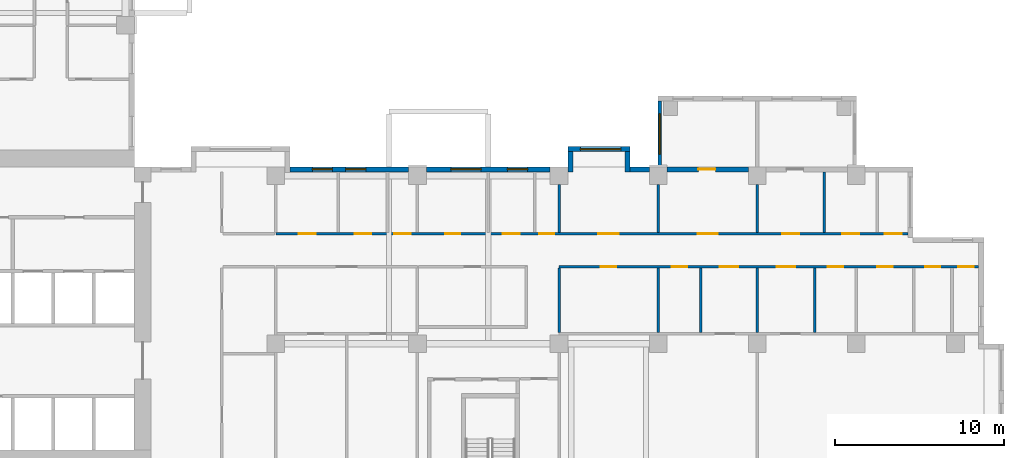
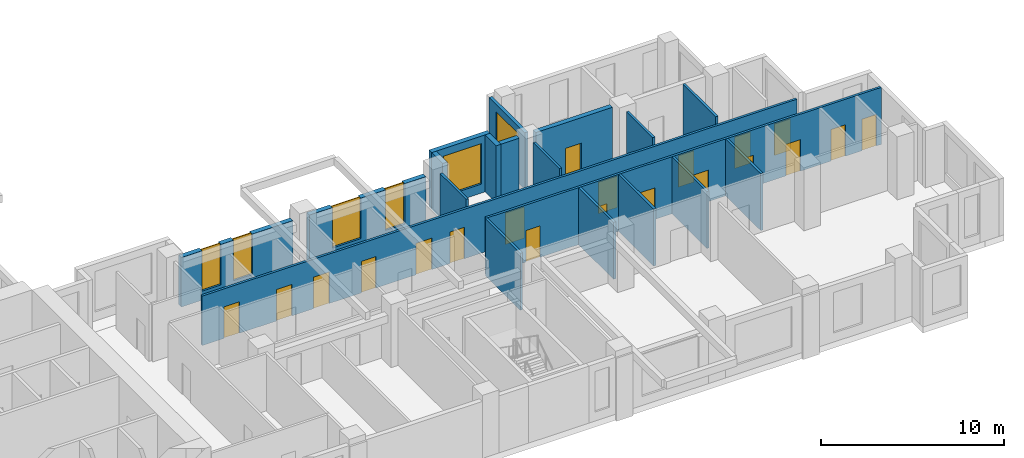
# One storey, part 5 of 14: 20 doors, 19 walls, 6 windows, 26 openings.
"""IFC4 building model written with IfcOpenShell, lengths in metres."""

from ifc_helpers import new_model, si_unit, direction, frame, frame_2d, origin, place, context, subcontext, project, spatial, rectangle, extrude, source, transform, mapped, material, layer, layer_set, type_object, element, fill, save


model = new_model("IFC4")

# Units and contexts
model_context = context("Model", 3, precision=1e-05, world=origin(), true_north=direction((0.0, 1.0)))
body_context = subcontext(model_context, "Body", "Model", "MODEL_VIEW")
ifc_project = project(units=[si_unit("LENGTHUNIT", "METRE"), si_unit("AREAUNIT", "SQUARE_METRE"), si_unit("VOLUMEUNIT", "CUBIC_METRE"), si_unit("PLANEANGLEUNIT", "RADIAN"), si_unit("MASSUNIT", "GRAM", prefix="KILO")], contexts=[model_context])

# Site, building, storey
site_placement = place(None, origin())
site = spatial("IfcSite", under=ifc_project, at=site_placement, CompositionType="ELEMENT")
building_placement = place(site_placement, origin())
building = spatial("IfcBuilding", under=site, at=building_placement, Name="Aurelian Terraces", CompositionType="ELEMENT")
storey_placement = place(building_placement, frame((0.0, 0.0, 116.1)))
storey = spatial("IfcBuildingStorey", under=building, at=storey_placement, Name="L25", CompositionType="ELEMENT", Elevation=116.1)

# Wall
ifc_material_1 = material(Name="Terracotta rainscreen cladding", Category="masonry")
ifc_layer_1 = layer(ifc_material_1, 0.3)
ifc_layer_set_1 = layer_set([ifc_layer_1], Name="EW-300")
wall_type_1 = type_object("IfcWallType", Name="EW-300", PredefinedType="STANDARD", material=ifc_layer_set_1)
wall_1_placement = place(storey_placement, frame((51.555, 20.85, 0.0), z_axis=(0.0, 0.0, 1.0), x_axis=(-1.0, 0.0, 0.0)))
element("IfcWall", 1, at=wall_1_placement, inside=storey, type_object=wall_type_1, Name="External wall L25 F07.18", PredefinedType="STANDARD", context=body_context, shape_type="SweptSolid", body=[
    extrude(rectangle(XDim=1.155, YDim=0.3, at=frame_2d((0.5775, 0.0))), origin(), (0.0, 0.0, 1.0), 3.8),
])

# Wall, opening, window
wall_2_placement = place(storey_placement, frame((50.4, 22.05, 0.0), z_axis=(0.0, 0.0, 1.0), x_axis=(-1.0, 0.0, 0.0)))
wall_2 = element("IfcWall", 2, at=wall_2_placement, inside=storey, type_object=wall_type_1, Name="Bay wall L25 F07.19", PredefinedType="STANDARD", context=body_context, shape_type="SweptSolid", body=[
    extrude(rectangle(XDim=3.675, YDim=0.3, at=frame_2d((1.8375, 0.0))), origin(), (0.0, 0.0, 1.0), 3.8),
])
shared_shape_1 = source(origin(), body_context, "Body", "SweptSolid", [
    extrude(rectangle(XDim=2.4, YDim=2.7, at=frame_2d((1.2, 1.35))), frame((0.0, 0.16, 0.0), z_axis=(0.0, -1.0, 0.0), x_axis=(1.0, 0.0, 0.0)), (0.0, 0.0, 1.0), 0.32),
])
opening_1_placement = place(wall_2_placement, frame((0.5375, 0.0, 0.6)))
opening_1 = element("IfcOpeningElement", 3, at=opening_1_placement, cuts=wall_2, Name="Opening W2427", PredefinedType="OPENING", context=body_context, shape_type="MappedRepresentation", body=[
    mapped(shared_shape_1, transform((0.0, 0.0, 0.0), scale=1.0)),
])
ifc_material_2 = material(Name="Clear glazing", Category="glass")
window_type_1 = type_object("IfcWindowType", Name="W-2400x2700", PartitioningType="SINGLE_PANEL", PredefinedType="WINDOW", material=ifc_material_2)
shared_shape_2 = source(origin(), body_context, "Body", "SweptSolid", [
    extrude(rectangle(XDim=2.4, YDim=2.7, at=frame_2d((1.2, 1.35))), frame((0.0, 0.03, 0.0), z_axis=(0.0, -1.0, 0.0), x_axis=(1.0, 0.0, 0.0)), (0.0, 0.0, 1.0), 0.06),
])
window_1_placement = place(opening_1_placement, origin())
window_1 = element("IfcWindow", 4, at=window_1_placement, inside=storey, type_object=window_type_1, Name="Window L25 L25-F07-19-0", OverallHeight=2.7, OverallWidth=2.4, PartitioningType="SINGLE_PANEL", PredefinedType="WINDOW", context=body_context, shape_type="MappedRepresentation", body=[
    mapped(shared_shape_2, transform((0.0, 0.0, 0.0), scale=1.0)),
])
fill(opening_1, window_1)

# Wall, openings, windows
wall_3_placement = place(storey_placement, frame((37.275, 20.85, 0.0), z_axis=(0.0, 0.0, 1.0), x_axis=(-1.0, 0.0, 0.0)))
wall_3 = element("IfcWall", 5, at=wall_3_placement, inside=storey, type_object=wall_type_1, Name="External wall L25 F07.20", PredefinedType="STANDARD", context=body_context, shape_type="SweptSolid", body=[
    extrude(rectangle(XDim=7.035, YDim=0.3, at=frame_2d((3.5175, 0.0))), origin(), (0.0, 0.0, 1.0), 3.3),
])
shared_shape_3 = source(origin(), body_context, "Body", "SweptSolid", [
    extrude(rectangle(XDim=1.2, YDim=2.7, at=frame_2d((0.6, 1.35))), frame((0.0, 0.16, 0.0), z_axis=(0.0, -1.0, 0.0), x_axis=(1.0, 0.0, 0.0)), (0.0, 0.0, 1.0), 0.32),
])
opening_2_placement = place(wall_3_placement, frame((2.541, 0.0, 0.6)))
opening_2 = element("IfcOpeningElement", 6, at=opening_2_placement, cuts=wall_3, Name="Opening W1227", PredefinedType="OPENING", context=body_context, shape_type="MappedRepresentation", body=[
    mapped(shared_shape_3, transform((0.0, 0.0, 0.0), scale=1.0)),
])
opening_3_placement = place(wall_3_placement, frame((4.516, 0.0, 0.6)))
opening_3 = element("IfcOpeningElement", 7, at=opening_3_placement, cuts=wall_3, Name="Opening W1227", PredefinedType="OPENING", context=body_context, shape_type="MappedRepresentation", body=[
    mapped(shared_shape_3, transform((0.0, 0.0, 0.0), scale=1.0)),
])
window_type_2 = type_object("IfcWindowType", Name="W-1200x2700", PartitioningType="SINGLE_PANEL", PredefinedType="WINDOW", material=ifc_material_2)
shared_shape_4 = source(origin(), body_context, "Body", "SweptSolid", [
    extrude(rectangle(XDim=1.2, YDim=2.7, at=frame_2d((0.6, 1.35))), frame((0.0, 0.03, 0.0), z_axis=(0.0, -1.0, 0.0), x_axis=(1.0, 0.0, 0.0)), (0.0, 0.0, 1.0), 0.06),
])
window_2_placement = place(opening_2_placement, origin())
window_2 = element("IfcWindow", 8, at=window_2_placement, inside=storey, type_object=window_type_2, Name="Window L25 L25-F07-20-2.1", OverallHeight=2.7, OverallWidth=1.2, PartitioningType="SINGLE_PANEL", PredefinedType="WINDOW", context=body_context, shape_type="MappedRepresentation", body=[
    mapped(shared_shape_4, transform((0.0, 0.0, 0.0), scale=1.0)),
])
fill(opening_2, window_2)
window_3_placement = place(opening_3_placement, origin())
window_3 = element("IfcWindow", 9, at=window_3_placement, inside=storey, type_object=window_type_2, Name="Window L25 L25-F07-20-2.2", OverallHeight=2.7, OverallWidth=1.2, PartitioningType="SINGLE_PANEL", PredefinedType="WINDOW", context=body_context, shape_type="MappedRepresentation", body=[
    mapped(shared_shape_4, transform((0.0, 0.0, 0.0), scale=1.0)),
])
fill(opening_3, window_3)

# Walls
shared_shape_5 = source(origin(), body_context, "Body", "SweptSolid", [
    extrude(rectangle(XDim=1.2, YDim=0.3, at=frame_2d((0.6, 0.0))), origin(), (0.0, 0.0, 1.0), 3.8),
])
for number, where, z_axis, x_axis, name in (
    (10, (50.25, 20.7, 0.0), (0.0, 0.0, 1.0), (0.0, 1.0, 0.0), "Bay return L25 F07.19.1"),
    (11, (46.875, 20.7, 0.0), (0.0, 0.0, 1.0), (0.0, 1.0, 0.0), "Bay return L25 F07.19.2"),
):
    element("IfcWall", number, at=place(storey_placement, frame(where, z_axis=z_axis, x_axis=x_axis)), inside=storey, type_object=wall_type_1, Name=name, PredefinedType="STANDARD", context=body_context, shape_type="MappedRepresentation", body=[
        mapped(shared_shape_5, transform((0.0, 0.0, 0.0), scale=1.0)),
    ])

# Wall, opening, window
ifc_material_3 = material(Name="Concrete fc' 40 MPa", Category="concrete")
ifc_layer_2 = layer(ifc_material_3, 0.2)
ifc_layer_set_2 = layer_set([ifc_layer_2], Name="BOX BEARING WALL 200")
wall_type_2 = type_object("IfcWallType", Name="BOX BEARING WALL 200", PredefinedType="SOLIDWALL", material=ifc_layer_set_2)
shared_shape_6 = source(origin(), body_context, "Body", "SweptSolid", [
    extrude(rectangle(XDim=3.9, YDim=0.2, at=frame_2d((1.95, 0.0))), origin(), (0.0, 0.0, 1.0), 3.79),
])
wall_4_placement = place(storey_placement, frame((52.18, 21.0, 0.0), z_axis=(0.0, 0.0, 1.0), x_axis=(0.0, 1.0, 0.0)))
wall_4 = element("IfcWall", 12, at=wall_4_placement, inside=storey, type_object=wall_type_2, Name="Box return L25 K02.2", PredefinedType="SOLIDWALL", context=body_context, shape_type="MappedRepresentation", body=[
    mapped(shared_shape_6, transform((0.0, 0.0, 0.0), scale=1.0)),
])
shared_shape_7 = source(origin(), body_context, "Body", "SweptSolid", [
    extrude(rectangle(XDim=2.4, YDim=2.7, at=frame_2d((1.2, 1.35))), frame((0.0, 0.11, 0.0), z_axis=(0.0, -1.0, 0.0), x_axis=(1.0, 0.0, 0.0)), (0.0, 0.0, 1.0), 0.22),
])
opening_4_placement = place(wall_4_placement, frame((0.75, 0.0, 0.6)))
opening_4 = element("IfcOpeningElement", 13, at=opening_4_placement, cuts=wall_4, Name="Opening W2427", PredefinedType="OPENING", context=body_context, shape_type="MappedRepresentation", body=[
    mapped(shared_shape_7, transform((0.0, 0.0, 0.0), scale=1.0)),
])
window_4_placement = place(opening_4_placement, origin())
window_4 = element("IfcWindow", 14, at=window_4_placement, inside=storey, type_object=window_type_1, Name="Window L25 K02-S2", OverallHeight=2.7, OverallWidth=2.4, PartitioningType="SINGLE_PANEL", PredefinedType="WINDOW", context=body_context, shape_type="MappedRepresentation", body=[
    mapped(shared_shape_2, transform((0.0, 0.0, 0.0), scale=1.0)),
])
fill(opening_4, window_4)

# Wall, opening, door
shared_shape_8 = source(origin(), body_context, "Body", "SweptSolid", [
    extrude(rectangle(XDim=4.83, YDim=0.3, at=frame_2d((2.415, 0.0))), origin(), (0.0, 0.0, 1.0), 3.8),
])
wall_5_placement = place(storey_placement, frame((57.435, 20.85, 0.0), z_axis=(0.0, 0.0, 1.0), x_axis=(-1.0, 0.0, 0.0)))
wall_5 = element("IfcWall", 15, at=wall_5_placement, inside=storey, type_object=wall_type_1, Name="External wall L25 F07.18", PredefinedType="STANDARD", context=body_context, shape_type="MappedRepresentation", body=[
    mapped(shared_shape_8, transform((0.0, 0.0, 0.0), scale=1.0)),
])
shared_shape_9 = source(origin(), body_context, "Body", "SweptSolid", [
    extrude(rectangle(XDim=1.0, YDim=2.1, at=frame_2d((0.5, 1.05))), frame((0.0, 0.16, 0.0), z_axis=(0.0, -1.0, 0.0), x_axis=(1.0, 0.0, 0.0)), (0.0, 0.0, 1.0), 0.32),
])
opening_5_placement = place(wall_5_placement, frame((1.9617, 0.0, 0.0)))
opening_5 = element("IfcOpeningElement", 16, at=opening_5_placement, cuts=wall_5, Name="Opening 825003", PredefinedType="OPENING", context=body_context, shape_type="MappedRepresentation", body=[
    mapped(shared_shape_9, transform((0.0, 0.0, 0.0), scale=1.0)),
])
ifc_material_4 = material(Name="Timber door leaf", Category="wood")
door_type_1 = type_object("IfcDoorType", Name="Room door 1000x2100 left", OperationType="SINGLE_SWING_LEFT", PredefinedType="DOOR", material=ifc_material_4)
shared_shape_10 = source(origin(), body_context, "Body", "SweptSolid", [
    extrude(rectangle(XDim=1.0, YDim=2.1, at=frame_2d((0.5, 1.05))), frame((0.0, 0.025, 0.0), z_axis=(0.0, -1.0, 0.0), x_axis=(1.0, 0.0, 0.0)), (0.0, 0.0, 1.0), 0.05),
])
door_1_placement = place(opening_5_placement, origin())
door_1 = element("IfcDoor", 17, at=door_1_placement, inside=storey, type_object=door_type_1, Name="Door 825003", OperationType="SINGLE_SWING_LEFT", OverallHeight=2.1, OverallWidth=1.0, PredefinedType="DOOR", context=body_context, shape_type="MappedRepresentation", body=[
    mapped(shared_shape_10, transform((0.0, 0.0, 0.0), scale=1.0)),
])
fill(opening_5, door_1)

# Wall, openings, windows
shared_shape_11 = source(origin(), body_context, "Body", "SweptSolid", [
    extrude(rectangle(XDim=7.35, YDim=0.3, at=frame_2d((3.675, 0.0))), origin(), (0.0, 0.0, 1.0), 3.3),
])
wall_6_placement = place(storey_placement, frame((45.675, 20.85, 0.0), z_axis=(0.0, 0.0, 1.0), x_axis=(-1.0, 0.0, 0.0)))
wall_6 = element("IfcWall", 18, at=wall_6_placement, inside=storey, type_object=wall_type_1, Name="External wall L25 F07.20", PredefinedType="STANDARD", context=body_context, shape_type="MappedRepresentation", body=[
    mapped(shared_shape_11, transform((0.0, 0.0, 0.0), scale=1.0)),
])
opening_6_placement = place(wall_6_placement, frame((1.3385, 0.0, 0.6)))
opening_6 = element("IfcOpeningElement", 19, at=opening_6_placement, cuts=wall_6, Name="Opening W1227", PredefinedType="OPENING", context=body_context, shape_type="MappedRepresentation", body=[
    mapped(shared_shape_3, transform((0.0, 0.0, 0.0), scale=1.0)),
])
shared_shape_12 = source(origin(), body_context, "Body", "SweptSolid", [
    extrude(rectangle(XDim=1.8, YDim=2.7, at=frame_2d((0.9, 1.35))), frame((0.0, 0.16, 0.0), z_axis=(0.0, -1.0, 0.0), x_axis=(1.0, 0.0, 0.0)), (0.0, 0.0, 1.0), 0.32),
])
opening_7_placement = place(wall_6_placement, frame((4.0971, 0.0, 0.6)))
opening_7 = element("IfcOpeningElement", 20, at=opening_7_placement, cuts=wall_6, Name="Opening W1827", PredefinedType="OPENING", context=body_context, shape_type="MappedRepresentation", body=[
    mapped(shared_shape_12, transform((0.0, 0.0, 0.0), scale=1.0)),
])
window_type_3 = type_object("IfcWindowType", Name="W-1800x2700", PartitioningType="SINGLE_PANEL", PredefinedType="WINDOW", material=ifc_material_2)
shared_shape_13 = source(origin(), body_context, "Body", "SweptSolid", [
    extrude(rectangle(XDim=1.8, YDim=2.7, at=frame_2d((0.9, 1.35))), frame((0.0, 0.03, 0.0), z_axis=(0.0, -1.0, 0.0), x_axis=(1.0, 0.0, 0.0)), (0.0, 0.0, 1.0), 0.06),
])
window_5_placement = place(opening_7_placement, origin())
window_5 = element("IfcWindow", 21, at=window_5_placement, inside=storey, type_object=window_type_3, Name="Window L25 L25-F07-20-G0-31", OverallHeight=2.7, OverallWidth=1.8, PartitioningType="SINGLE_PANEL", PredefinedType="WINDOW", context=body_context, shape_type="MappedRepresentation", body=[
    mapped(shared_shape_13, transform((0.0, 0.0, 0.0), scale=1.0)),
])
fill(opening_7, window_5)
window_6_placement = place(opening_6_placement, origin())
window_6 = element("IfcWindow", 22, at=window_6_placement, inside=storey, type_object=window_type_2, Name="Window L25 L25-F07-20-0", OverallHeight=2.7, OverallWidth=1.2, PartitioningType="SINGLE_PANEL", PredefinedType="WINDOW", context=body_context, shape_type="MappedRepresentation", body=[
    mapped(shared_shape_4, transform((0.0, 0.0, 0.0), scale=1.0)),
])
fill(opening_6, window_6)

# Wall
ifc_material_5 = material(Name="Gypsum board on steel studs", Category="steel")
ifc_layer_3 = layer(ifc_material_5, 0.15)
ifc_layer_set_3 = layer_set([ifc_layer_3], Name="Partition 150")
wall_type_3 = type_object("IfcWallType", Name="Partition 150", PredefinedType="PARTITIONING", material=ifc_layer_set_3)
shared_shape_14 = source(origin(), body_context, "Body", "SweptSolid", [
    extrude(rectangle(XDim=3.6, YDim=0.15, at=frame_2d((1.8, 0.0))), origin(), (0.0, 0.0, 1.0), 3.8),
])
wall_7_placement = place(storey_placement, frame((61.9445, 20.7, 0.0), z_axis=(0.0, 0.0, 1.0), x_axis=(0.0, -1.0, 0.0)))
element("IfcWall", 23, at=wall_7_placement, inside=storey, type_object=wall_type_3, Name="Partition", PredefinedType="PARTITIONING", context=body_context, shape_type="MappedRepresentation", body=[
    mapped(shared_shape_14, transform((0.0, 0.0, 0.0), scale=1.0)),
])

# Wall, openings, doors
ifc_layer_4 = layer(ifc_material_5, 0.15)
ifc_layer_set_4 = layer_set([ifc_layer_4], Name="Fire partition 150")
wall_type_4 = type_object("IfcWallType", Name="Fire partition 150", PredefinedType="PARTITIONING", material=ifc_layer_set_4)
shared_shape_15 = source(origin(), body_context, "Body", "SweptSolid", [
    extrude(rectangle(XDim=24.9, YDim=0.15, at=frame_2d((12.45, 0.0))), origin(), (0.0, 0.0, 1.0), 3.8),
])
wall_8_placement = place(storey_placement, frame((71.1, 15.075, 0.0), z_axis=(0.0, 0.0, 1.0), x_axis=(-1.0, 0.0, 0.0)))
wall_8 = element("IfcWall", 24, at=wall_8_placement, inside=storey, type_object=wall_type_4, Name="Corridor wall", PredefinedType="PARTITIONING", context=body_context, shape_type="MappedRepresentation", body=[
    mapped(shared_shape_15, transform((0.0, 0.0, 0.0), scale=1.0)),
])
shared_shape_16 = source(origin(), body_context, "Body", "SweptSolid", [
    extrude(rectangle(XDim=1.1, YDim=2.1, at=frame_2d((0.55, 1.05))), frame((0.0, 0.085, 0.0), z_axis=(0.0, -1.0, 0.0), x_axis=(1.0, 0.0, 0.0)), (0.0, 0.0, 1.0), 0.17),
])
opening_8_placement = place(wall_8_placement, frame((14.2664, 0.0, 0.0)))
opening_8 = element("IfcOpeningElement", 25, at=opening_8_placement, cuts=wall_8, Name="Opening 725010", PredefinedType="OPENING", context=body_context, shape_type="MappedRepresentation", body=[
    mapped(shared_shape_16, transform((0.0, 0.0, 0.0), scale=1.0)),
])
shared_shape_17 = source(origin(), body_context, "Body", "SweptSolid", [
    extrude(rectangle(XDim=0.9, YDim=2.1, at=frame_2d((0.45, 1.05))), frame((0.0, 0.085, 0.0), z_axis=(0.0, -1.0, 0.0), x_axis=(1.0, 0.0, 0.0)), (0.0, 0.0, 1.0), 0.17),
])
opening_9_placement = place(wall_8_placement, frame((21.51, 0.0, 0.0)))
opening_9 = element("IfcOpeningElement", 26, at=opening_9_placement, cuts=wall_8, Name="Opening 725012", PredefinedType="OPENING", context=body_context, shape_type="MappedRepresentation", body=[
    mapped(shared_shape_17, transform((0.0, 0.0, 0.0), scale=1.0)),
])
opening_10_placement = place(wall_8_placement, frame((17.3064, 0.0, 0.0)))
opening_10 = element("IfcOpeningElement", 27, at=opening_10_placement, cuts=wall_8, Name="Opening 725013", PredefinedType="OPENING", context=body_context, shape_type="MappedRepresentation", body=[
    mapped(shared_shape_17, transform((0.0, 0.0, 0.0), scale=1.0)),
])
opening_11_placement = place(wall_8_placement, frame((10.8895, 0.0, 0.0)))
opening_11 = element("IfcOpeningElement", 28, at=opening_11_placement, cuts=wall_8, Name="Opening 725014", PredefinedType="OPENING", context=body_context, shape_type="MappedRepresentation", body=[
    mapped(shared_shape_16, transform((0.0, 0.0, 0.0), scale=1.0)),
])
opening_12_placement = place(wall_8_placement, frame((8.0495, 0.0, 0.0)))
opening_12 = element("IfcOpeningElement", 29, at=opening_12_placement, cuts=wall_8, Name="Opening 725016", PredefinedType="OPENING", context=body_context, shape_type="MappedRepresentation", body=[
    mapped(shared_shape_17, transform((0.0, 0.0, 0.0), scale=1.0)),
])
opening_13_placement = place(wall_8_placement, frame((5.1078, 0.0, 0.0)))
opening_13 = element("IfcOpeningElement", 30, at=opening_13_placement, cuts=wall_8, Name="Opening 725017", PredefinedType="OPENING", context=body_context, shape_type="MappedRepresentation", body=[
    mapped(shared_shape_17, transform((0.0, 0.0, 0.0), scale=1.0)),
])
opening_14_placement = place(wall_8_placement, frame((2.2702, 0.0, 0.0)))
opening_14 = element("IfcOpeningElement", 31, at=opening_14_placement, cuts=wall_8, Name="Opening 725018", PredefinedType="OPENING", context=body_context, shape_type="MappedRepresentation", body=[
    mapped(shared_shape_17, transform((0.0, 0.0, 0.0), scale=1.0)),
])
opening_15_placement = place(wall_8_placement, frame((0.3049, 0.0, 0.0)))
opening_15 = element("IfcOpeningElement", 32, at=opening_15_placement, cuts=wall_8, Name="Opening 725019", PredefinedType="OPENING", context=body_context, shape_type="MappedRepresentation", body=[
    mapped(shared_shape_17, transform((0.0, 0.0, 0.0), scale=1.0)),
])
door_type_2 = type_object("IfcDoorType", Name="Room door 900x2100 right", OperationType="SINGLE_SWING_RIGHT", PredefinedType="DOOR", material=ifc_material_4)
shared_shape_18 = source(origin(), body_context, "Body", "SweptSolid", [
    extrude(rectangle(XDim=0.9, YDim=2.1, at=frame_2d((0.45, 1.05))), frame((0.0, 0.025, 0.0), z_axis=(0.0, -1.0, 0.0), x_axis=(1.0, 0.0, 0.0)), (0.0, 0.0, 1.0), 0.05),
])
door_2_placement = place(opening_9_placement, origin())
door_2 = element("IfcDoor", 33, at=door_2_placement, inside=storey, type_object=door_type_2, Name="Door 725012", OperationType="SINGLE_SWING_RIGHT", OverallHeight=2.1, OverallWidth=0.9, PredefinedType="DOOR", context=body_context, shape_type="MappedRepresentation", body=[
    mapped(shared_shape_18, transform((0.0, 0.0, 0.0), scale=1.0)),
])
fill(opening_9, door_2)
door_type_3 = type_object("IfcDoorType", Name="Room door 900x2100 left", OperationType="SINGLE_SWING_LEFT", PredefinedType="DOOR", material=ifc_material_4)
door_3_placement = place(opening_10_placement, origin())
door_3 = element("IfcDoor", 34, at=door_3_placement, inside=storey, type_object=door_type_3, Name="Door 725013", OperationType="SINGLE_SWING_LEFT", OverallHeight=2.1, OverallWidth=0.9, PredefinedType="DOOR", context=body_context, shape_type="MappedRepresentation", body=[
    mapped(shared_shape_18, transform((0.0, 0.0, 0.0), scale=1.0)),
])
fill(opening_10, door_3)
door_4_placement = place(opening_12_placement, origin())
door_4 = element("IfcDoor", 35, at=door_4_placement, inside=storey, type_object=door_type_2, Name="Door 725016", OperationType="SINGLE_SWING_RIGHT", OverallHeight=2.1, OverallWidth=0.9, PredefinedType="DOOR", context=body_context, shape_type="MappedRepresentation", body=[
    mapped(shared_shape_18, transform((0.0, 0.0, 0.0), scale=1.0)),
])
fill(opening_12, door_4)
door_5_placement = place(opening_13_placement, origin())
door_5 = element("IfcDoor", 36, at=door_5_placement, inside=storey, type_object=door_type_3, Name="Door 725017", OperationType="SINGLE_SWING_LEFT", OverallHeight=2.1, OverallWidth=0.9, PredefinedType="DOOR", context=body_context, shape_type="MappedRepresentation", body=[
    mapped(shared_shape_18, transform((0.0, 0.0, 0.0), scale=1.0)),
])
fill(opening_13, door_5)
door_6_placement = place(opening_14_placement, origin())
door_6 = element("IfcDoor", 37, at=door_6_placement, inside=storey, type_object=door_type_2, Name="Door 725018", OperationType="SINGLE_SWING_RIGHT", OverallHeight=2.1, OverallWidth=0.9, PredefinedType="DOOR", context=body_context, shape_type="MappedRepresentation", body=[
    mapped(shared_shape_18, transform((0.0, 0.0, 0.0), scale=1.0)),
])
fill(opening_14, door_6)
door_7_placement = place(opening_15_placement, origin())
door_7 = element("IfcDoor", 38, at=door_7_placement, inside=storey, type_object=door_type_3, Name="Door 725019", OperationType="SINGLE_SWING_LEFT", OverallHeight=2.1, OverallWidth=0.9, PredefinedType="DOOR", context=body_context, shape_type="MappedRepresentation", body=[
    mapped(shared_shape_18, transform((0.0, 0.0, 0.0), scale=1.0)),
])
fill(opening_15, door_7)
door_type_4 = type_object("IfcDoorType", Name="Room door 1100x2100 right", OperationType="SINGLE_SWING_RIGHT", PredefinedType="DOOR", material=ifc_material_4)
shared_shape_19 = source(origin(), body_context, "Body", "SweptSolid", [
    extrude(rectangle(XDim=1.1, YDim=2.1, at=frame_2d((0.55, 1.05))), frame((0.0, 0.025, 0.0), z_axis=(0.0, -1.0, 0.0), x_axis=(1.0, 0.0, 0.0)), (0.0, 0.0, 1.0), 0.05),
])
door_8_placement = place(opening_8_placement, origin())
door_8 = element("IfcDoor", 39, at=door_8_placement, inside=storey, type_object=door_type_4, Name="Door 725010", OperationType="SINGLE_SWING_RIGHT", OverallHeight=2.1, OverallWidth=1.1, PredefinedType="DOOR", context=body_context, shape_type="MappedRepresentation", body=[
    mapped(shared_shape_19, transform((0.0, 0.0, 0.0), scale=1.0)),
])
fill(opening_8, door_8)
door_9_placement = place(opening_11_placement, origin())
door_9 = element("IfcDoor", 40, at=door_9_placement, inside=storey, type_object=door_type_4, Name="Door 725014", OperationType="SINGLE_SWING_RIGHT", OverallHeight=2.1, OverallWidth=1.1, PredefinedType="DOOR", context=body_context, shape_type="MappedRepresentation", body=[
    mapped(shared_shape_19, transform((0.0, 0.0, 0.0), scale=1.0)),
])
fill(opening_11, door_9)

shared_shape_20 = source(origin(), body_context, "Body", "SweptSolid", [
    extrude(rectangle(XDim=37.5, YDim=0.15, at=frame_2d((18.75, 0.0))), origin(), (0.0, 0.0, 1.0), 3.3),
])
wall_9_placement = place(storey_placement, frame((29.4, 17.025, 0.0), z_axis=(0.0, 0.0, 1.0), x_axis=(1.0, 0.0, 0.0)))
wall_9 = element("IfcWall", 41, at=wall_9_placement, inside=storey, type_object=wall_type_4, Name="Corridor wall", PredefinedType="PARTITIONING", context=body_context, shape_type="MappedRepresentation", body=[
    mapped(shared_shape_20, transform((0.0, 0.0, 0.0), scale=1.0)),
])
shared_shape_21 = source(origin(), body_context, "Body", "SweptSolid", [
    extrude(rectangle(XDim=1.0, YDim=2.1, at=frame_2d((0.5, 1.05))), frame((0.0, 0.085, 0.0), z_axis=(0.0, -1.0, 0.0), x_axis=(1.0, 0.0, 0.0)), (0.0, 0.0, 1.0), 0.17),
])
opening_16_placement = place(wall_9_placement, frame((1.3567, 0.0, 0.0)))
opening_16 = element("IfcOpeningElement", 42, at=opening_16_placement, cuts=wall_9, Name="Opening 725020", PredefinedType="OPENING", context=body_context, shape_type="MappedRepresentation", body=[
    mapped(shared_shape_21, transform((0.0, 0.0, 0.0), scale=1.0)),
])
opening_17_placement = place(wall_9_placement, frame((4.6686, 0.0, 0.0)))
opening_17 = element("IfcOpeningElement", 43, at=opening_17_placement, cuts=wall_9, Name="Opening 725021", PredefinedType="OPENING", context=body_context, shape_type="MappedRepresentation", body=[
    mapped(shared_shape_21, transform((0.0, 0.0, 0.0), scale=1.0)),
])
opening_18_placement = place(wall_9_placement, frame((7.012, 0.0, 0.0)))
opening_18 = element("IfcOpeningElement", 44, at=opening_18_placement, cuts=wall_9, Name="Opening 725022", PredefinedType="OPENING", context=body_context, shape_type="MappedRepresentation", body=[
    mapped(shared_shape_21, transform((0.0, 0.0, 0.0), scale=1.0)),
])
opening_19_placement = place(wall_9_placement, frame((10.05, 0.0, 0.0)))
opening_19 = element("IfcOpeningElement", 45, at=opening_19_placement, cuts=wall_9, Name="Opening 725023", PredefinedType="OPENING", context=body_context, shape_type="MappedRepresentation", body=[
    mapped(shared_shape_17, transform((0.0, 0.0, 0.0), scale=1.0)),
])
opening_20_placement = place(wall_9_placement, frame((13.474, 0.0, 0.0)))
opening_20 = element("IfcOpeningElement", 46, at=opening_20_placement, cuts=wall_9, Name="Opening 725024", PredefinedType="OPENING", context=body_context, shape_type="MappedRepresentation", body=[
    mapped(shared_shape_21, transform((0.0, 0.0, 0.0), scale=1.0)),
])
opening_21_placement = place(wall_9_placement, frame((15.624, 0.0, 0.0)))
opening_21 = element("IfcOpeningElement", 47, at=opening_21_placement, cuts=wall_9, Name="Opening 725025", PredefinedType="OPENING", context=body_context, shape_type="MappedRepresentation", body=[
    mapped(shared_shape_17, transform((0.0, 0.0, 0.0), scale=1.0)),
])
shared_shape_22 = source(origin(), body_context, "Body", "SweptSolid", [
    extrude(rectangle(XDim=1.2, YDim=2.1, at=frame_2d((0.6, 1.05))), frame((0.0, 0.085, 0.0), z_axis=(0.0, -1.0, 0.0), x_axis=(1.0, 0.0, 0.0)), (0.0, 0.0, 1.0), 0.17),
])
opening_22_placement = place(wall_9_placement, frame((19.14, 0.0, 0.0)))
opening_22 = element("IfcOpeningElement", 48, at=opening_22_placement, cuts=wall_9, Name="Opening 725026", PredefinedType="OPENING", context=body_context, shape_type="MappedRepresentation", body=[
    mapped(shared_shape_22, transform((0.0, 0.0, 0.0), scale=1.0)),
])
opening_23_placement = place(wall_9_placement, frame((25.02, 0.0, 0.0)))
opening_23 = element("IfcOpeningElement", 49, at=opening_23_placement, cuts=wall_9, Name="Opening 725027", PredefinedType="OPENING", context=body_context, shape_type="MappedRepresentation", body=[
    mapped(shared_shape_22, transform((0.0, 0.0, 0.0), scale=1.0)),
])
opening_24_placement = place(wall_9_placement, frame((30.0523, 0.0, 0.0)))
opening_24 = element("IfcOpeningElement", 50, at=opening_24_placement, cuts=wall_9, Name="Opening 725028", PredefinedType="OPENING", context=body_context, shape_type="MappedRepresentation", body=[
    mapped(shared_shape_21, transform((0.0, 0.0, 0.0), scale=1.0)),
])
opening_25_placement = place(wall_9_placement, frame((33.6084, 0.0, 0.0)))
opening_25 = element("IfcOpeningElement", 51, at=opening_25_placement, cuts=wall_9, Name="Opening 725029", PredefinedType="OPENING", context=body_context, shape_type="MappedRepresentation", body=[
    mapped(shared_shape_21, transform((0.0, 0.0, 0.0), scale=1.0)),
])
opening_26_placement = place(wall_9_placement, frame((36.1236, 0.0, 0.0)))
opening_26 = element("IfcOpeningElement", 52, at=opening_26_placement, cuts=wall_9, Name="Opening 725030", PredefinedType="OPENING", context=body_context, shape_type="MappedRepresentation", body=[
    mapped(shared_shape_21, transform((0.0, 0.0, 0.0), scale=1.0)),
])
door_type_5 = type_object("IfcDoorType", Name="Room door 1000x2100 right", OperationType="SINGLE_SWING_RIGHT", PredefinedType="DOOR", material=ifc_material_4)
door_10_placement = place(opening_16_placement, origin())
door_10 = element("IfcDoor", 53, at=door_10_placement, inside=storey, type_object=door_type_5, Name="Door 725020", OperationType="SINGLE_SWING_RIGHT", OverallHeight=2.1, OverallWidth=1.0, PredefinedType="DOOR", context=body_context, shape_type="MappedRepresentation", body=[
    mapped(shared_shape_10, transform((0.0, 0.0, 0.0), scale=1.0)),
])
fill(opening_16, door_10)
door_11_placement = place(opening_17_placement, origin())
door_11 = element("IfcDoor", 54, at=door_11_placement, inside=storey, type_object=door_type_1, Name="Door 725021", OperationType="SINGLE_SWING_LEFT", OverallHeight=2.1, OverallWidth=1.0, PredefinedType="DOOR", context=body_context, shape_type="MappedRepresentation", body=[
    mapped(shared_shape_10, transform((0.0, 0.0, 0.0), scale=1.0)),
])
fill(opening_17, door_11)
door_12_placement = place(opening_18_placement, origin())
door_12 = element("IfcDoor", 55, at=door_12_placement, inside=storey, type_object=door_type_5, Name="Door 725022", OperationType="SINGLE_SWING_RIGHT", OverallHeight=2.1, OverallWidth=1.0, PredefinedType="DOOR", context=body_context, shape_type="MappedRepresentation", body=[
    mapped(shared_shape_10, transform((0.0, 0.0, 0.0), scale=1.0)),
])
fill(opening_18, door_12)
door_13_placement = place(opening_20_placement, origin())
door_13 = element("IfcDoor", 56, at=door_13_placement, inside=storey, type_object=door_type_5, Name="Door 725024", OperationType="SINGLE_SWING_RIGHT", OverallHeight=2.1, OverallWidth=1.0, PredefinedType="DOOR", context=body_context, shape_type="MappedRepresentation", body=[
    mapped(shared_shape_10, transform((0.0, 0.0, 0.0), scale=1.0)),
])
fill(opening_20, door_13)
door_14_placement = place(opening_24_placement, origin())
door_14 = element("IfcDoor", 57, at=door_14_placement, inside=storey, type_object=door_type_5, Name="Door 725028", OperationType="SINGLE_SWING_RIGHT", OverallHeight=2.1, OverallWidth=1.0, PredefinedType="DOOR", context=body_context, shape_type="MappedRepresentation", body=[
    mapped(shared_shape_10, transform((0.0, 0.0, 0.0), scale=1.0)),
])
fill(opening_24, door_14)
door_15_placement = place(opening_25_placement, origin())
door_15 = element("IfcDoor", 58, at=door_15_placement, inside=storey, type_object=door_type_1, Name="Door 725029", OperationType="SINGLE_SWING_LEFT", OverallHeight=2.1, OverallWidth=1.0, PredefinedType="DOOR", context=body_context, shape_type="MappedRepresentation", body=[
    mapped(shared_shape_10, transform((0.0, 0.0, 0.0), scale=1.0)),
])
fill(opening_25, door_15)
door_16_placement = place(opening_26_placement, origin())
door_16 = element("IfcDoor", 59, at=door_16_placement, inside=storey, type_object=door_type_5, Name="Door 725030", OperationType="SINGLE_SWING_RIGHT", OverallHeight=2.1, OverallWidth=1.0, PredefinedType="DOOR", context=body_context, shape_type="MappedRepresentation", body=[
    mapped(shared_shape_10, transform((0.0, 0.0, 0.0), scale=1.0)),
])
fill(opening_26, door_16)
door_17_placement = place(opening_19_placement, origin())
door_17 = element("IfcDoor", 60, at=door_17_placement, inside=storey, type_object=door_type_2, Name="Door 725023", OperationType="SINGLE_SWING_RIGHT", OverallHeight=2.1, OverallWidth=0.9, PredefinedType="DOOR", context=body_context, shape_type="MappedRepresentation", body=[
    mapped(shared_shape_18, transform((0.0, 0.0, 0.0), scale=1.0)),
])
fill(opening_19, door_17)
door_18_placement = place(opening_21_placement, origin())
door_18 = element("IfcDoor", 61, at=door_18_placement, inside=storey, type_object=door_type_3, Name="Door 725025", OperationType="SINGLE_SWING_LEFT", OverallHeight=2.1, OverallWidth=0.9, PredefinedType="DOOR", context=body_context, shape_type="MappedRepresentation", body=[
    mapped(shared_shape_18, transform((0.0, 0.0, 0.0), scale=1.0)),
])
fill(opening_21, door_18)
door_type_6 = type_object("IfcDoorType", Name="Room door 1200x2100 right", OperationType="SINGLE_SWING_RIGHT", PredefinedType="DOOR", material=ifc_material_4)
shared_shape_23 = source(origin(), body_context, "Body", "SweptSolid", [
    extrude(rectangle(XDim=1.2, YDim=2.1, at=frame_2d((0.6, 1.05))), frame((0.0, 0.025, 0.0), z_axis=(0.0, -1.0, 0.0), x_axis=(1.0, 0.0, 0.0)), (0.0, 0.0, 1.0), 0.05),
])
door_19_placement = place(opening_22_placement, origin())
door_19 = element("IfcDoor", 62, at=door_19_placement, inside=storey, type_object=door_type_6, Name="Door 725026", OperationType="SINGLE_SWING_RIGHT", OverallHeight=2.1, OverallWidth=1.2, PredefinedType="DOOR", context=body_context, shape_type="MappedRepresentation", body=[
    mapped(shared_shape_23, transform((0.0, 0.0, 0.0), scale=1.0)),
])
fill(opening_22, door_19)
door_type_7 = type_object("IfcDoorType", Name="Room door 1200x2100 left", OperationType="SINGLE_SWING_LEFT", PredefinedType="DOOR", material=ifc_material_4)
door_20_placement = place(opening_23_placement, origin())
door_20 = element("IfcDoor", 63, at=door_20_placement, inside=storey, type_object=door_type_7, Name="Door 725027", OperationType="SINGLE_SWING_LEFT", OverallHeight=2.1, OverallWidth=1.2, PredefinedType="DOOR", context=body_context, shape_type="MappedRepresentation", body=[
    mapped(shared_shape_23, transform((0.0, 0.0, 0.0), scale=1.0)),
])
fill(opening_23, door_20)

# Walls
shared_shape_24 = source(origin(), body_context, "Body", "SweptSolid", [
    extrude(rectangle(XDim=3.825, YDim=0.15, at=frame_2d((1.9125, 0.0))), origin(), (0.0, 0.0, 1.0), 3.8),
])
for number, where, z_axis, x_axis, name in (
    (64, (52.08, 11.175, 0.0), (0.0, 0.0, 1.0), (0.0, 1.0, 0.0), "Partition"),
    (65, (54.6072, 11.175, 0.0), (0.0, 0.0, 1.0), (0.0, 1.0, 0.0), "Partition"),
    (66, (61.3609, 11.175, 0.0), (0.0, 0.0, 1.0), (0.0, 1.0, 0.0), "Partition"),
    (67, (46.2, 11.175, 0.0), (0.0, 0.0, 1.0), (0.0, 1.0, 0.0), "Partition"),
    (68, (57.96, 11.175, 0.0), (0.0, 0.0, 1.0), (0.0, 1.0, 0.0), "Partition"),
):
    element("IfcWall", number, at=place(storey_placement, frame(where, z_axis=z_axis, x_axis=x_axis)), inside=storey, type_object=wall_type_3, Name=name, PredefinedType="PARTITIONING", context=body_context, shape_type="MappedRepresentation", body=[
        mapped(shared_shape_24, transform((0.0, 0.0, 0.0), scale=1.0)),
    ])
shared_shape_25 = source(origin(), body_context, "Body", "SweptSolid", [
    extrude(rectangle(XDim=2.851, YDim=0.15, at=frame_2d((1.4255, 0.0))), origin(), (0.0, 0.0, 1.0), 3.8),
])
for number, where, z_axis, x_axis, name in (
    (69, (52.08, 19.951, 0.0), (0.0, 0.0, 1.0), (0.0, -1.0, 0.0), "Partition"),
    (70, (46.2, 17.1, 0.0), (0.0, 0.0, 1.0), (0.0, 1.0, 0.0), "Partition"),
    (71, (57.96, 17.1, 0.0), (0.0, 0.0, 1.0), (0.0, 1.0, 0.0), "Partition"),
):
    element("IfcWall", number, at=place(storey_placement, frame(where, z_axis=z_axis, x_axis=x_axis)), inside=storey, type_object=wall_type_3, Name=name, PredefinedType="PARTITIONING", context=body_context, shape_type="MappedRepresentation", body=[
        mapped(shared_shape_25, transform((0.0, 0.0, 0.0), scale=1.0)),
    ])

save(model, "model.ifc")
